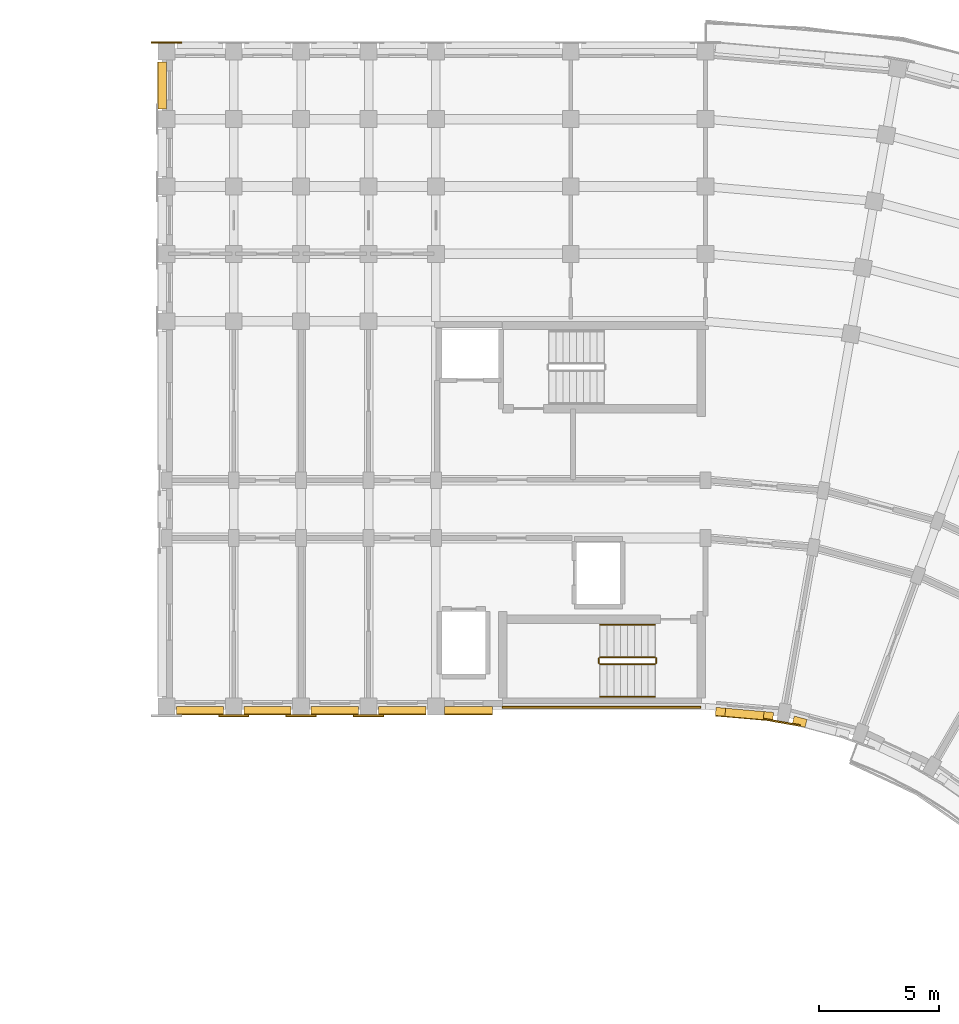
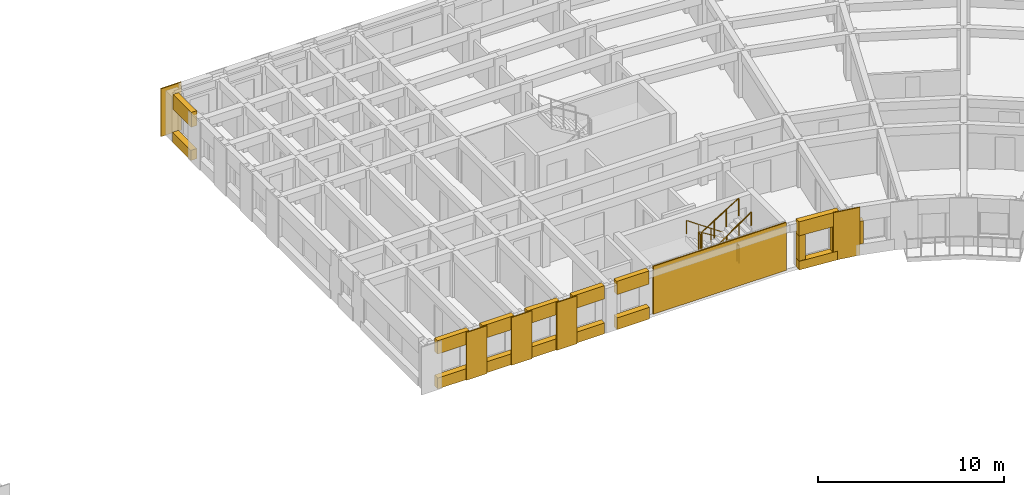
# One storey, part 52 of 57: 23 coverings, 6 railings.
"""IFC4 building model written with IfcOpenShell, lengths in metres."""

from ifc_helpers import new_model, si_unit, direction, frame, origin, origin_2d, place, context, subcontext, project, spatial, polyline, circle, outline, extrude, material, layer, layer_set, type_object, element, save


model = new_model("IFC4")

# Units and contexts
model_context = context("Model", 3, precision=1e-05, world=origin(), true_north=direction((0.0, 1.0)))
body_context = subcontext(model_context, "Body", "Model", "MODEL_VIEW")
ifc_project = project(units=[si_unit("LENGTHUNIT", "METRE"), si_unit("AREAUNIT", "SQUARE_METRE"), si_unit("VOLUMEUNIT", "CUBIC_METRE"), si_unit("PLANEANGLEUNIT", "RADIAN"), si_unit("MASSUNIT", "GRAM", prefix="KILO")], contexts=[model_context])

# Site, building, storey
site_placement = place(None, origin())
site = spatial("IfcSite", under=ifc_project, at=site_placement, CompositionType="ELEMENT")
building_placement = place(site_placement, origin())
building = spatial("IfcBuilding", under=site, at=building_placement, Name="Kiranvali Square Residences", CompositionType="ELEMENT")
storey_placement = place(building_placement, frame((0.0, 0.0, 24.449951171875)))
storey = spatial("IfcBuildingStorey", under=building, at=storey_placement, Name="L07", CompositionType="ELEMENT", Elevation=24.449951171875)

# Coverings
ifc_material_1 = material(Name="Honed Porbandar limestone ashlar facade cladding", Category="masonry")
ifc_layer_1 = layer(ifc_material_1, 0.3798828125)
ifc_layer_set_1 = layer_set([ifc_layer_1], Name="Honed Porbandar limestone ashlar facade cladding")
covering_type_1 = type_object("IfcCoveringType", Name="COV-CLAD-JAMB", PredefinedType="CLADDING", material=ifc_layer_set_1)
covering_1_placement = place(storey_placement, frame((0.0, 0.0, 0.572021484375)))
element("IfcCovering", 1, at=covering_1_placement, inside=storey, type_object=covering_type_1, Name="L07 deep limestone window jamb reveal B-L07-GDN-00.L", PredefinedType="CLADDING", context=body_context, shape_type="SweptSolid", body=[
    extrude(outline(polyline([(120.208740234375, 106.222900390625), (120.605712890625, 106.188232421875), (120.63525390625, 106.5263671875), (120.23828125, 106.56103515625), (120.208740234375, 106.222900390625)])), origin(), (0.0, 0.0, 1.0), 1.650146484375),
])
covering_2_placement = place(storey_placement, frame((0.0, 0.0, 0.572021484375)))
element("IfcCovering", 2, at=covering_2_placement, inside=storey, type_object=covering_type_1, Name="L07 deep limestone window jamb reveal B-L07-GDN-00.R", PredefinedType="CLADDING", context=body_context, shape_type="SweptSolid", body=[
    extrude(outline(polyline([(122.19970703125, 106.048828125), (122.5966796875, 106.013916015625), (122.626220703125, 106.352294921875), (122.229248046875, 106.386962890625), (122.19970703125, 106.048828125)])), origin(), (0.0, 0.0, 1.0), 1.650146484375),
])
covering_3_placement = place(storey_placement, frame((0.0, 0.0, 0.72216796875)))
element("IfcCovering", 3, at=covering_3_placement, inside=storey, type_object=covering_type_1, Name="L07 deep limestone window jamb reveal B-L07-GDN-01.L", PredefinedType="CLADDING", context=body_context, shape_type="SweptSolid", body=[
    extrude(outline(polyline([(123.401611328125, 105.8720703125), (123.931396484375, 105.730224609375), (124.019287109375, 106.05810546875), (123.489501953125, 106.199951171875), (123.401611328125, 105.8720703125)])), origin(), (0.0, 0.0, 1.0), 1.5),
])
ifc_layer_2 = layer(ifc_material_1, 0.06494140625)
ifc_layer_set_2 = layer_set([ifc_layer_2], Name="Honed Porbandar limestone ashlar facade cladding")
covering_type_2 = type_object("IfcCoveringType", Name="COV-CLAD-PIER", PredefinedType="CLADDING", material=ifc_layer_set_2)
covering_4_placement = place(storey_placement, frame((0.0, 0.0, 0.005126953125)))
element("IfcCovering", 4, at=covering_4_placement, inside=storey, type_object=covering_type_2, Name="L07 Classical limestone pilaster casing CLAD-PR-B-L07-U224", PredefinedType="CLADDING", context=body_context, shape_type="SweptSolid", body=[
    extrude(outline(polyline([(98.030029296875, 134.218017578125), (96.77001953125, 134.218017578125), (96.77001953125, 134.150390625), (98.030029296875, 134.150390625), (98.030029296875, 134.218017578125)])), origin(), (0.0, 0.0, 1.0), 3.139892578125),
])
covering_5_placement = place(storey_placement, frame((0.0, 0.0, 0.005126953125)))
element("IfcCovering", 5, at=covering_5_placement, inside=storey, type_object=covering_type_2, Name="Block B L07 garden stair limestone ashlar cladding", PredefinedType="CLADDING", context=body_context, shape_type="SweptSolid", body=[
    extrude(outline(polyline([(119.60009765625, 106.597900390625), (111.35009765625, 106.597900390625), (111.35009765625, 106.52001953125), (119.60009765625, 106.52001953125), (119.60009765625, 106.597900390625)])), origin(), (0.0, 0.0, 1.0), 3.139892578125),
])
ifc_layer_3 = layer(ifc_material_1, 0.050048828125)
ifc_layer_set_3 = layer_set([ifc_layer_3], Name="Honed Porbandar limestone ashlar facade cladding")
covering_type_3 = type_object("IfcCoveringType", Name="COV-CLAD-PIER-IN", PredefinedType="CLADDING", material=ifc_layer_set_3)
covering_6_placement = place(storey_placement, frame((0.0, 0.0, 0.005126953125)))
element("IfcCovering", 6, at=covering_6_placement, inside=storey, type_object=covering_type_3, Name="L07 Classical garden courtyard pilaster CLAD-PRIN-B-L07-A01", PredefinedType="CLADDING", context=body_context, shape_type="SweptSolid", body=[
    extrude(outline(polyline([(122.25341796875, 106.032958984375), (123.730712890625, 105.7724609375), (123.742431640625, 105.8388671875), (122.26513671875, 106.099365234375), (122.25341796875, 106.032958984375)])), origin(), (0.0, 0.0, 1.0), 3.139892578125),
])
covering_7_placement = place(storey_placement, frame((0.0, 0.0, 0.005126953125)))
element("IfcCovering", 7, at=covering_7_placement, inside=storey, type_object=covering_type_3, Name="L07 Classical limestone pilaster casing CLAD-PRA1I-B-L07-U140", PredefinedType="CLADDING", context=body_context, shape_type="SweptSolid", body=[
    extrude(outline(polyline([(106.429931640625, 106.24951171875), (105.169921875, 106.24951171875), (105.169921875, 106.181884765625), (106.429931640625, 106.181884765625), (106.429931640625, 106.24951171875)])), origin(), (0.0, 0.0, 1.0), 3.139892578125),
])
covering_8_placement = place(storey_placement, frame((0.0, 0.0, 0.005126953125)))
element("IfcCovering", 8, at=covering_8_placement, inside=storey, type_object=covering_type_3, Name="L07 Classical limestone pilaster casing CLAD-PRA1I-B-L07-U167", PredefinedType="CLADDING", context=body_context, shape_type="SweptSolid", body=[
    extrude(outline(polyline([(103.6298828125, 106.24951171875), (102.3701171875, 106.24951171875), (102.3701171875, 106.181884765625), (103.6298828125, 106.181884765625), (103.6298828125, 106.24951171875)])), origin(), (0.0, 0.0, 1.0), 3.139892578125),
])
covering_9_placement = place(storey_placement, frame((0.0, 0.0, 0.005126953125)))
element("IfcCovering", 9, at=covering_9_placement, inside=storey, type_object=covering_type_3, Name="L07 Classical limestone pilaster casing CLAD-PRA1I-B-L07-U195", PredefinedType="CLADDING", context=body_context, shape_type="SweptSolid", body=[
    extrude(outline(polyline([(100.830078125, 106.24951171875), (99.570068359375, 106.24951171875), (99.570068359375, 106.181884765625), (100.830078125, 106.181884765625), (100.830078125, 106.24951171875)])), origin(), (0.0, 0.0, 1.0), 3.139892578125),
])
ifc_layer_4 = layer(ifc_material_1, 0.360107421875)
ifc_layer_set_4 = layer_set([ifc_layer_4], Name="Honed Porbandar limestone ashlar facade cladding")
covering_type_4 = type_object("IfcCoveringType", Name="COV-CLAD-WALL", PredefinedType="CLADDING", material=ifc_layer_set_4)
covering_10_placement = place(storey_placement, frame((0.0, 0.0, 2.22216796875)))
element("IfcCovering", 10, at=covering_10_placement, inside=storey, type_object=covering_type_4, Name="L07 light limestone spandrel lintel B-L07-GDN-00", PredefinedType="CLADDING", context=body_context, shape_type="SweptSolid", body=[
    extrude(outline(polyline([(120.208740234375, 106.222900390625), (122.5966796875, 106.013916015625), (122.626220703125, 106.352294921875), (120.23828125, 106.56103515625), (120.208740234375, 106.222900390625)])), origin(), (0.0, 0.0, 1.0), 0.9228515625),
])
covering_11_placement = place(storey_placement, frame((0.0, 0.0, 2.27197265625)))
element("IfcCovering", 11, at=covering_11_placement, inside=storey, type_object=covering_type_4, Name="L07 light limestone spandrel lintel B-L07-A1IN-0", PredefinedType="CLADDING", context=body_context, shape_type="SweptSolid", body=[
    extrude(outline(polyline([(110.949951171875, 106.599609375), (108.949951171875, 106.599609375), (108.949951171875, 106.280029296875), (110.949951171875, 106.280029296875), (110.949951171875, 106.599609375)])), origin(), (0.0, 0.0, 1.0), 0.873046875),
])
covering_12_placement = place(storey_placement, frame((0.0, 0.0, 0.005126953125)))
element("IfcCovering", 12, at=covering_12_placement, inside=storey, type_object=covering_type_4, Name="L07 limestone window sill apron B-L07-A1IN-0", PredefinedType="CLADDING", context=body_context, shape_type="SweptSolid", body=[
    extrude(outline(polyline([(110.949951171875, 106.599609375), (108.949951171875, 106.599609375), (108.949951171875, 106.25), (110.949951171875, 106.25), (110.949951171875, 106.599609375)])), origin(), (0.0, 0.0, 1.0), 0.766845703125),
])
covering_13_placement = place(storey_placement, frame((0.0, 0.0, 2.27197265625)))
element("IfcCovering", 13, at=covering_13_placement, inside=storey, type_object=covering_type_4, Name="L07 light limestone spandrel lintel B-L07-A1I-0", PredefinedType="CLADDING", context=body_context, shape_type="SweptSolid", body=[
    extrude(outline(polyline([(108.179931640625, 106.599609375), (106.219970703125, 106.599609375), (106.219970703125, 106.280029296875), (108.179931640625, 106.280029296875), (108.179931640625, 106.599609375)])), origin(), (0.0, 0.0, 1.0), 0.873046875),
])
covering_14_placement = place(storey_placement, frame((0.0, 0.0, 0.005126953125)))
element("IfcCovering", 14, at=covering_14_placement, inside=storey, type_object=covering_type_4, Name="L07 limestone window sill apron B-L07-A1I-0", PredefinedType="CLADDING", context=body_context, shape_type="SweptSolid", body=[
    extrude(outline(polyline([(108.179931640625, 106.599609375), (106.219970703125, 106.599609375), (106.219970703125, 106.25), (108.179931640625, 106.25), (108.179931640625, 106.599609375)])), origin(), (0.0, 0.0, 1.0), 0.717041015625),
])
covering_15_placement = place(storey_placement, frame((0.0, 0.0, 2.27197265625)))
element("IfcCovering", 15, at=covering_15_placement, inside=storey, type_object=covering_type_4, Name="L07 light limestone spandrel lintel B-L07-A1I-1", PredefinedType="CLADDING", context=body_context, shape_type="SweptSolid", body=[
    extrude(outline(polyline([(105.3798828125, 106.599609375), (103.419921875, 106.599609375), (103.419921875, 106.280029296875), (105.3798828125, 106.280029296875), (105.3798828125, 106.599609375)])), origin(), (0.0, 0.0, 1.0), 0.873046875),
])
covering_16_placement = place(storey_placement, frame((0.0, 0.0, 0.005126953125)))
element("IfcCovering", 16, at=covering_16_placement, inside=storey, type_object=covering_type_4, Name="L07 limestone window sill apron B-L07-A1I-1", PredefinedType="CLADDING", context=body_context, shape_type="SweptSolid", body=[
    extrude(outline(polyline([(105.3798828125, 106.599609375), (103.419921875, 106.599609375), (103.419921875, 106.25), (105.3798828125, 106.25), (105.3798828125, 106.599609375)])), origin(), (0.0, 0.0, 1.0), 0.717041015625),
])
covering_17_placement = place(storey_placement, frame((0.0, 0.0, 2.27197265625)))
element("IfcCovering", 17, at=covering_17_placement, inside=storey, type_object=covering_type_4, Name="L07 light limestone spandrel lintel B-L07-A1I-2", PredefinedType="CLADDING", context=body_context, shape_type="SweptSolid", body=[
    extrude(outline(polyline([(102.580078125, 106.599609375), (100.6201171875, 106.599609375), (100.6201171875, 106.280029296875), (102.580078125, 106.280029296875), (102.580078125, 106.599609375)])), origin(), (0.0, 0.0, 1.0), 0.873046875),
])
covering_18_placement = place(storey_placement, frame((0.0, 0.0, 0.005126953125)))
element("IfcCovering", 18, at=covering_18_placement, inside=storey, type_object=covering_type_4, Name="L07 limestone window sill apron B-L07-A1I-2", PredefinedType="CLADDING", context=body_context, shape_type="SweptSolid", body=[
    extrude(outline(polyline([(102.580078125, 106.599609375), (100.6201171875, 106.599609375), (100.6201171875, 106.25), (102.580078125, 106.25), (102.580078125, 106.599609375)])), origin(), (0.0, 0.0, 1.0), 0.717041015625),
])
covering_19_placement = place(storey_placement, frame((0.0, 0.0, 2.27197265625)))
element("IfcCovering", 19, at=covering_19_placement, inside=storey, type_object=covering_type_4, Name="L07 light limestone spandrel lintel B-L07-A1I-3", PredefinedType="CLADDING", context=body_context, shape_type="SweptSolid", body=[
    extrude(outline(polyline([(99.780029296875, 106.599609375), (97.820068359375, 106.599609375), (97.820068359375, 106.280029296875), (99.780029296875, 106.280029296875), (99.780029296875, 106.599609375)])), origin(), (0.0, 0.0, 1.0), 0.873046875),
])
covering_20_placement = place(storey_placement, frame((0.0, 0.0, 0.005126953125)))
element("IfcCovering", 20, at=covering_20_placement, inside=storey, type_object=covering_type_4, Name="L07 limestone window sill apron B-L07-A1I-3", PredefinedType="CLADDING", context=body_context, shape_type="SweptSolid", body=[
    extrude(outline(polyline([(99.780029296875, 106.599609375), (97.820068359375, 106.599609375), (97.820068359375, 106.25), (99.780029296875, 106.25), (99.780029296875, 106.599609375)])), origin(), (0.0, 0.0, 1.0), 0.717041015625),
])
covering_21_placement = place(storey_placement, frame((0.0, 0.0, 2.172119140625)))
element("IfcCovering", 21, at=covering_21_placement, inside=storey, type_object=covering_type_4, Name="L07 light limestone spandrel lintel B-L07-A1END-6", PredefinedType="CLADDING", context=body_context, shape_type="SweptSolid", body=[
    extrude(outline(polyline([(97.3994140625, 131.419921875), (97.3994140625, 133.3798828125), (97.06005859375, 133.3798828125), (97.06005859375, 131.419921875), (97.3994140625, 131.419921875)])), origin(), (0.0, 0.0, 1.0), 0.972900390625),
])
covering_22_placement = place(storey_placement, frame((0.0, 0.0, 0.005126953125)))
element("IfcCovering", 22, at=covering_22_placement, inside=storey, type_object=covering_type_4, Name="L07 limestone window sill apron B-L07-A1END-6", PredefinedType="CLADDING", context=body_context, shape_type="SweptSolid", body=[
    extrude(outline(polyline([(97.3994140625, 131.419921875), (97.3994140625, 133.3798828125), (97.030029296875, 133.3798828125), (97.030029296875, 131.419921875), (97.3994140625, 131.419921875)])), origin(), (0.0, 0.0, 1.0), 0.6669921875),
])
ifc_layer_5 = layer(ifc_material_1, 0.2900390625)
ifc_layer_set_5 = layer_set([ifc_layer_5], Name="Honed Porbandar limestone ashlar facade cladding")
covering_type_5 = type_object("IfcCoveringType", Name="COV-CLAD-WALL-IN", PredefinedType="CLADDING", material=ifc_layer_set_5)
covering_23_placement = place(storey_placement, frame((0.0, 0.0, 0.005126953125)))
element("IfcCovering", 23, at=covering_23_placement, inside=storey, type_object=covering_type_5, Name="L07 limestone window sill apron B-L07-GDN-00", PredefinedType="CLADDING", context=body_context, shape_type="SweptSolid", body=[
    extrude(outline(polyline([(120.2060546875, 106.193115234375), (122.593994140625, 105.984130859375), (122.626220703125, 106.352294921875), (120.23828125, 106.56103515625), (120.2060546875, 106.193115234375)])), origin(), (0.0, 0.0, 1.0), 0.56689453125),
])

# Railings
ifc_material_2 = material(Name="Brushed stainless steel tubular handrail", Category="steel")
railing_type_1 = type_object("IfcRailingType", Name="RL-HANDRAIL-900", PredefinedType="HANDRAIL", material=ifc_material_2)
railing_1_placement = place(storey_placement, frame((117.699951171875, 110.0, 0.175048828125)))
element("IfcRailing", 24, at=railing_1_placement, inside=storey, type_object=railing_type_1, Name="L07 ST-B2 stair handrail 1", PredefinedType="HANDRAIL", context=body_context, shape_type="SweptSolid", body=[
    extrude(circle(Radius=0.02392578125, at=origin_2d()), frame((0.0, 0.0, 0.8759765625), z_axis=(-0.82278801735, 0.0, 0.568348377763), x_axis=(0.0, -1.0, 0.0)), (0.0, 0.0, 1.0), 2.77099609375),
    extrude(circle(Radius=0.02099609375, at=origin_2d()), origin(), (0.0, 0.0, 1.0), 0.851806640625),
    extrude(circle(Radius=0.02099609375, at=origin_2d()), frame((-0.760009765625, 0.0, 0.52490234375)), (0.0, 0.0, 1.0), 0.851806640625),
    extrude(circle(Radius=0.02099609375, at=origin_2d()), frame((-1.52001953125, 0.0, 1.050048828125)), (0.0, 0.0, 1.0), 0.851806640625),
    extrude(circle(Radius=0.02099609375, at=origin_2d()), frame((-2.280029296875, 0.0, 1.574951171875)), (0.0, 0.0, 1.0), 0.851806640625),
])
railing_2_placement = place(storey_placement, frame((115.419921875, 107.0, 1.75)))
element("IfcRailing", 25, at=railing_2_placement, inside=storey, type_object=railing_type_1, Name="L07 ST-B2 stair handrail 2", PredefinedType="HANDRAIL", context=body_context, shape_type="SweptSolid", body=[
    extrude(circle(Radius=0.02392578125, at=origin_2d()), frame((0.0, 0.0, 0.8759765625), z_axis=(0.82278801735, 0.0, 0.568348377763), x_axis=(0.0, 1.0, 0.0)), (0.0, 0.0, 1.0), 2.77099609375),
    extrude(circle(Radius=0.02099609375, at=origin_2d()), origin(), (0.0, 0.0, 1.0), 0.851806640625),
    extrude(circle(Radius=0.02099609375, at=origin_2d()), frame((0.760009765625, 0.0, 0.52490234375)), (0.0, 0.0, 1.0), 0.851806640625),
    extrude(circle(Radius=0.02099609375, at=origin_2d()), frame((1.52001953125, 0.0, 1.050048828125)), (0.0, 0.0, 1.0), 0.851806640625),
    extrude(circle(Radius=0.02099609375, at=origin_2d()), frame((2.280029296875, 0.0, 1.574951171875)), (0.0, 0.0, 1.0), 0.851806640625),
])
ifc_material_3 = material(Name="Powder-coated architectural bronze balustrade", Category="steel")
railing_type_2 = type_object("IfcRailingType", Name="RL-ST-GUARD-1200", PredefinedType="GUARDRAIL", material=ifc_material_3)
railing_3_placement = place(storey_placement, frame((117.699951171875, 108.64990234375, 0.175048828125)))
element("IfcRailing", 26, at=railing_3_placement, inside=storey, type_object=railing_type_2, Name="L07 ST-B2 stair guard 1", PredefinedType="GUARDRAIL", context=body_context, shape_type="SweptSolid", body=[
    extrude(circle(Radius=0.02392578125, at=origin_2d()), frame((0.0, 0.0, 1.1259765625), z_axis=(-0.852190499154, 0.0, 0.523231643875), x_axis=(0.0, -1.0, 0.0)), (0.0, 0.0, 1.0), 2.675537109375),
    extrude(circle(Radius=0.02099609375, at=origin_2d()), origin(), (0.0, 0.0, 1.0), 1.101806640625),
    extrude(circle(Radius=0.02099609375, at=origin_2d()), frame((-0.760009765625, 0.0, 0.466552734375)), (0.0, 0.0, 1.0), 1.101806640625),
    extrude(circle(Radius=0.02099609375, at=origin_2d()), frame((-1.52001953125, 0.0, 0.933349609375)), (0.0, 0.0, 1.0), 1.101806640625),
    extrude(circle(Radius=0.02099609375, at=origin_2d()), frame((-2.280029296875, 0.0, 1.39990234375)), (0.0, 0.0, 1.0), 1.101806640625),
])
railing_4_placement = place(storey_placement, frame((115.3701171875, 108.60009765625, 1.574951171875)))
element("IfcRailing", 27, at=railing_4_placement, inside=storey, type_object=railing_type_2, Name="L07 ST-B2 stair guard 2", PredefinedType="GUARDRAIL", context=body_context, shape_type="SweptSolid", body=[
    extrude(circle(Radius=0.02392578125, at=origin_2d()), frame((0.0, 0.0, 1.1259765625), z_axis=(0.0, -1.0, 0.0), x_axis=(1.0, 0.0, 0.0)), (0.0, 0.0, 1.0), 0.2001953125),
    extrude(circle(Radius=0.02099609375, at=origin_2d()), origin(), (0.0, 0.0, 1.0), 1.101806640625),
    extrude(circle(Radius=0.02099609375, at=origin_2d()), frame((0.0, -0.2001953125, 0.0)), (0.0, 0.0, 1.0), 1.101806640625),
])
railing_5_placement = place(storey_placement, frame((115.419921875, 108.35009765625, 1.75)))
element("IfcRailing", 28, at=railing_5_placement, inside=storey, type_object=railing_type_2, Name="L07 ST-B2 stair guard 3", PredefinedType="GUARDRAIL", context=body_context, shape_type="SweptSolid", body=[
    extrude(circle(Radius=0.02392578125, at=origin_2d()), frame((0.0, 0.0, 1.1259765625), z_axis=(0.852149810458, 0.0, 0.523297908018), x_axis=(0.0, 1.0, 0.0)), (0.0, 0.0, 1.0), 2.675537109375),
    extrude(circle(Radius=0.02099609375, at=origin_2d()), origin(), (0.0, 0.0, 1.0), 1.101806640625),
    extrude(circle(Radius=0.02099609375, at=origin_2d()), frame((0.760009765625, 0.0, 0.466796875)), (0.0, 0.0, 1.0), 1.101806640625),
    extrude(circle(Radius=0.02099609375, at=origin_2d()), frame((1.52001953125, 0.0, 0.933349609375)), (0.0, 0.0, 1.0), 1.101806640625),
    extrude(circle(Radius=0.02099609375, at=origin_2d()), frame((2.280029296875, 0.0, 1.400146484375)), (0.0, 0.0, 1.0), 1.101806640625),
])
railing_6_placement = place(storey_placement, frame((117.75, 108.60009765625, 0.0)))
element("IfcRailing", 29, at=railing_6_placement, inside=storey, type_object=railing_type_2, Name="L07 ST-B2 stair guard 4", PredefinedType="GUARDRAIL", context=body_context, shape_type="SweptSolid", body=[
    extrude(circle(Radius=0.02392578125, at=origin_2d()), frame((0.0, 0.0, 1.1259765625), z_axis=(0.0, -1.0, 0.0), x_axis=(1.0, 0.0, 0.0)), (0.0, 0.0, 1.0), 0.2001953125),
    extrude(circle(Radius=0.02099609375, at=origin_2d()), origin(), (0.0, 0.0, 1.0), 1.101806640625),
    extrude(circle(Radius=0.02099609375, at=origin_2d()), frame((0.0, -0.2001953125, 0.0)), (0.0, 0.0, 1.0), 1.101806640625),
])

save(model, "model.ifc")
